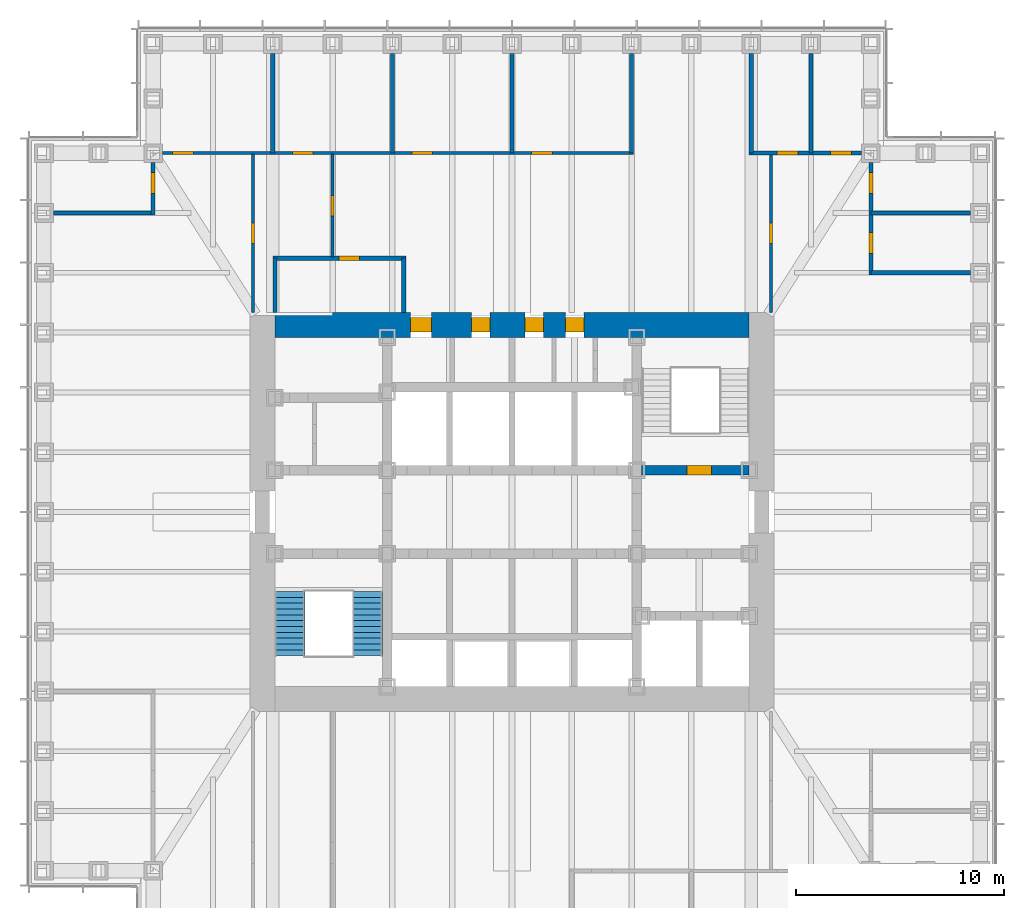
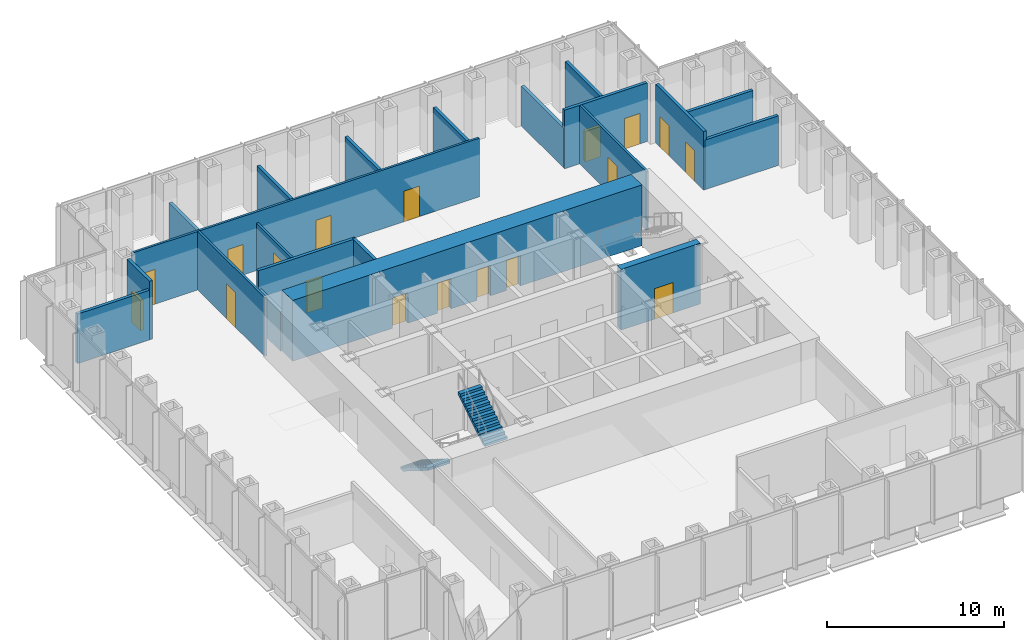
# One storey, part 10 of 17: 21 walls, 18 doors, 2 stair flights, 18 openings, 1 element without a shape of its own.
"""IFC4 building model written with IfcOpenShell, lengths in metres."""

from ifc_helpers import new_model, si_unit, direction, frame, frame_2d, origin, place, context, subcontext, project, spatial, polyline, rectangle, outline, extrude, material, layer, layer_set, type_object, element, fill, aggregate, save


model = new_model("IFC4")

# Units and contexts
model_context = context("Model", 3, precision=1e-05, world=origin(), true_north=direction((0.0, 1.0)))
body_context = subcontext(model_context, "Body", "Model", "MODEL_VIEW")
ifc_project = project(units=[si_unit("LENGTHUNIT", "METRE"), si_unit("AREAUNIT", "SQUARE_METRE"), si_unit("VOLUMEUNIT", "CUBIC_METRE"), si_unit("PLANEANGLEUNIT", "RADIAN"), si_unit("MASSUNIT", "GRAM", prefix="KILO")], contexts=[model_context])

# Site, building, storey
site_placement = place(None, origin())
site = spatial("IfcSite", under=ifc_project, at=site_placement, CompositionType="ELEMENT")
building_placement = place(site_placement, origin())
building = spatial("IfcBuilding", under=site, at=building_placement, Name="Daluyong Arena Tower", CompositionType="ELEMENT")
storey_placement = place(building_placement, frame((0.0, 0.0, 124.89990234375)))
storey = spatial("IfcBuildingStorey", under=building, at=storey_placement, Name="L27", CompositionType="ELEMENT", Elevation=124.89990234375)

# Wall, opening, door
ifc_material_1 = material(Name="Concrete fc' 45 MPa", Category="concrete")
ifc_layer_1 = layer(ifc_material_1, 0.449951171875)
ifc_layer_set_1 = layer_set([ifc_layer_1], Name="Concrete fc' 45 MPa")
wall_type_1 = type_object("IfcWallType", Name="Core inner wall 450", PredefinedType="SHEAR", material=ifc_layer_set_1)
wall_1_placement = place(storey_placement, frame((62.22509765625, 82.0, 0.0), z_axis=(0.0, 0.0, 1.0), x_axis=(1.0, 0.0, 0.0)))
wall_1 = element("IfcWall", 1, at=wall_1_placement, inside=storey, type_object=wall_type_1, Name="core inner wall at L27", PredefinedType="SHEAR", context=body_context, shape_type="SweptSolid", body=[
    extrude(rectangle(XDim=5.1748046875, YDim=0.449951171875, at=frame_2d((2.58740234375, 0.0))), origin(), (0.0, 0.0, 1.0), 4.2001953125),
])
opening_1_placement = place(wall_1_placement, frame((2.175048828125, 0.0, 0.0)))
opening_1 = element("IfcOpeningElement", 2, at=opening_1_placement, cuts=wall_1, Name="Opening 27014", PredefinedType="OPENING", context=body_context, shape_type="SweptSolid", body=[
    extrude(rectangle(XDim=1.199951171875, YDim=2.10009765625, at=frame_2d((0.60009765625, 1.050048828125))), frame((0.0, 0.23486328125, 0.0), z_axis=(0.0, -1.0, 0.0), x_axis=(1.0, 0.0, 0.0)), (0.0, 0.0, 1.0), 0.469970703125),
])
ifc_material_2 = material(Name="Steel door, fire rated", Category="steel")
door_type_1 = type_object("IfcDoorType", Name="Stair door 1200", OperationType="SINGLE_SWING_LEFT", PredefinedType="DOOR", material=ifc_material_2)
door_1_placement = place(opening_1_placement, origin())
door_1 = element("IfcDoor", 3, at=door_1_placement, inside=storey, type_object=door_type_1, Name="stair B door 27014", OperationType="SINGLE_SWING_LEFT", OverallHeight=2.10009765625, OverallWidth=1.199951171875, PredefinedType="DOOR", context=body_context, shape_type="SweptSolid", body=[
    extrude(rectangle(XDim=1.199951171875, YDim=2.10009765625, at=frame_2d((0.60009765625, 1.050048828125))), frame((0.0, 0.224609375, 0.0), z_axis=(0.0, -1.0, 0.0), x_axis=(1.0, 0.0, 0.0)), (0.0, 0.0, 1.0), 0.449462890625),
])
fill(opening_1, door_1)

# Wall, openings, doors
ifc_material_3 = material(Name="Concrete fc' 60 MPa", Category="concrete")
ifc_layer_2 = layer(ifc_material_3, 1.199951171875)
ifc_layer_set_2 = layer_set([ifc_layer_2], Name="Concrete fc' 60 MPa")
wall_type_2 = type_object("IfcWallType", Name="Core wall 1200", PredefinedType="SHEAR", material=ifc_layer_set_2)
wall_2_placement = place(storey_placement, frame((44.60009765625, 89.0, 0.0), z_axis=(0.0, 0.0, 1.0), x_axis=(1.0, 0.0, 0.0)))
wall_2 = element("IfcWall", 4, at=wall_2_placement, inside=storey, type_object=wall_type_2, Name="core wall at L27", PredefinedType="SHEAR", context=body_context, shape_type="SweptSolid", body=[
    extrude(rectangle(XDim=22.7998046875, YDim=1.199951171875, at=frame_2d((11.39990234375, 0.0))), origin(), (0.0, 0.0, 1.0), 4.2001953125),
])
opening_2_placement = place(wall_2_placement, frame((6.52490234375, 0.0, 0.0)))
opening_2 = element("IfcOpeningElement", 5, at=opening_2_placement, cuts=wall_2, Name="Opening 27004", PredefinedType="OPENING", context=body_context, shape_type="SweptSolid", body=[
    extrude(rectangle(XDim=1.0, YDim=2.10009765625, at=frame_2d((0.5, 1.050048828125))), frame((0.0, 0.60986328125, 0.0), z_axis=(0.0, -1.0, 0.0), x_axis=(1.0, 0.0, 0.0)), (0.0, 0.0, 1.0), 1.219970703125),
])
opening_3_placement = place(wall_2_placement, frame((9.449951171875, 0.0, 0.0)))
opening_3 = element("IfcOpeningElement", 6, at=opening_3_placement, cuts=wall_2, Name="Opening 27005", PredefinedType="OPENING", context=body_context, shape_type="SweptSolid", body=[
    extrude(rectangle(XDim=0.89990234375, YDim=2.10009765625, at=frame_2d((0.449951171875, 1.050048828125))), frame((0.0, 0.60986328125, 0.0), z_axis=(0.0, -1.0, 0.0), x_axis=(1.0, 0.0, 0.0)), (0.0, 0.0, 1.0), 1.219970703125),
])
opening_4_placement = place(wall_2_placement, frame((12.02490234375, 0.0, 0.0)))
opening_4 = element("IfcOpeningElement", 7, at=opening_4_placement, cuts=wall_2, Name="Opening 27006", PredefinedType="OPENING", context=body_context, shape_type="SweptSolid", body=[
    extrude(rectangle(XDim=0.89990234375, YDim=2.10009765625, at=frame_2d((0.449951171875, 1.050048828125))), frame((0.0, 0.60986328125, 0.0), z_axis=(0.0, -1.0, 0.0), x_axis=(1.0, 0.0, 0.0)), (0.0, 0.0, 1.0), 1.219970703125),
])
opening_5_placement = place(wall_2_placement, frame((13.96240234375, 0.0, 0.0)))
opening_5 = element("IfcOpeningElement", 8, at=opening_5_placement, cuts=wall_2, Name="Opening 27007", PredefinedType="OPENING", context=body_context, shape_type="SweptSolid", body=[
    extrude(rectangle(XDim=0.89990234375, YDim=2.10009765625, at=frame_2d((0.449951171875, 1.050048828125))), frame((0.0, 0.60986328125, 0.0), z_axis=(0.0, -1.0, 0.0), x_axis=(1.0, 0.0, 0.0)), (0.0, 0.0, 1.0), 1.219970703125),
])
ifc_material_4 = material(Name="Timber door", Category="wood")
door_type_2 = type_object("IfcDoorType", Name="Accessible toilet door 1000", OperationType="SINGLE_SWING_LEFT", PredefinedType="DOOR", material=ifc_material_4)
door_2_placement = place(opening_2_placement, origin())
door_2 = element("IfcDoor", 9, at=door_2_placement, inside=storey, type_object=door_type_2, Name="accessible toilet door 27004", OperationType="SINGLE_SWING_LEFT", OverallHeight=2.10009765625, OverallWidth=1.0, PredefinedType="DOOR", context=body_context, shape_type="SweptSolid", body=[
    extrude(rectangle(XDim=1.0, YDim=2.10009765625, at=frame_2d((0.5, 1.050048828125))), frame((0.0, 0.35009765625, 0.0), z_axis=(0.0, -1.0, 0.0), x_axis=(1.0, 0.0, 0.0)), (0.0, 0.0, 1.0), 0.699951171875),
])
fill(opening_2, door_2)
ifc_material_5 = material(Name="Steel door, fire rated", Category="steel")
door_type_3 = type_object("IfcDoorType", Name="Core room door 900", OperationType="SINGLE_SWING_LEFT", PredefinedType="DOOR", material=ifc_material_5)
door_3_placement = place(opening_4_placement, origin())
door_3 = element("IfcDoor", 10, at=door_3_placement, inside=storey, type_object=door_type_3, Name="staff pantry door 27006", OperationType="SINGLE_SWING_LEFT", OverallHeight=2.10009765625, OverallWidth=0.89990234375, PredefinedType="DOOR", context=body_context, shape_type="SweptSolid", body=[
    extrude(rectangle(XDim=0.89990234375, YDim=2.10009765625, at=frame_2d((0.449951171875, 1.050048828125))), frame((0.0, 0.35009765625, 0.0), z_axis=(0.0, -1.0, 0.0), x_axis=(1.0, 0.0, 0.0)), (0.0, 0.0, 1.0), 0.699951171875),
])
fill(opening_4, door_3)
door_4_placement = place(opening_5_placement, origin())
door_4 = element("IfcDoor", 11, at=door_4_placement, inside=storey, type_object=door_type_3, Name="mail room door 27007", OperationType="SINGLE_SWING_LEFT", OverallHeight=2.10009765625, OverallWidth=0.89990234375, PredefinedType="DOOR", context=body_context, shape_type="SweptSolid", body=[
    extrude(rectangle(XDim=0.89990234375, YDim=2.10009765625, at=frame_2d((0.449951171875, 1.050048828125))), frame((0.0, 0.35009765625, 0.0), z_axis=(0.0, -1.0, 0.0), x_axis=(1.0, 0.0, 0.0)), (0.0, 0.0, 1.0), 0.699951171875),
])
fill(opening_5, door_4)
ifc_material_6 = material(Name="Steel door, fire rated", Category="steel")
door_type_4 = type_object("IfcDoorType", Name="Core store door 900", OperationType="SINGLE_SWING_LEFT", PredefinedType="DOOR", material=ifc_material_6)
door_5_placement = place(opening_3_placement, origin())
door_5 = element("IfcDoor", 12, at=door_5_placement, inside=storey, type_object=door_type_4, Name="furniture store door 27005", OperationType="SINGLE_SWING_LEFT", OverallHeight=2.10009765625, OverallWidth=0.89990234375, PredefinedType="DOOR", context=body_context, shape_type="SweptSolid", body=[
    extrude(rectangle(XDim=0.89990234375, YDim=2.10009765625, at=frame_2d((0.449951171875, 1.050048828125))), frame((0.0, 0.35009765625, 0.0), z_axis=(0.0, -1.0, 0.0), x_axis=(1.0, 0.0, 0.0)), (0.0, 0.0, 1.0), 0.699951171875),
])
fill(opening_3, door_5)

ifc_material_7 = material(Name="Glazed aluminium partition", Category="aluminium")
ifc_layer_3 = layer(ifc_material_7, 0.14990234375)
ifc_layer_set_3 = layer_set([ifc_layer_3], Name="Glazed aluminium partition")
wall_type_3 = type_object("IfcWallType", Name="Glazed partition 150", PredefinedType="PARTITIONING", material=ifc_layer_set_3)
wall_3_placement = place(storey_placement, frame((39.199951171875, 97.25, 0.0), z_axis=(0.0, 0.0, 1.0), x_axis=(1.0, 0.0, 0.0)))
wall_3 = element("IfcWall", 13, at=wall_3_placement, inside=storey, type_object=wall_type_3, Name="glazed partition at L27", PredefinedType="PARTITIONING", context=body_context, shape_type="SweptSolid", body=[
    extrude(rectangle(XDim=22.650146484375, YDim=0.14990234375, at=frame_2d((11.3251953125, 0.0))), origin(), (0.0, 0.0, 1.0), 4.0400390625),
])
opening_6_placement = place(wall_3_placement, frame((0.487548828125, 0.0, 0.0)))
opening_6 = element("IfcOpeningElement", 14, at=opening_6_placement, cuts=wall_3, Name="Opening 27032", PredefinedType="OPENING", context=body_context, shape_type="SweptSolid", body=[
    extrude(rectangle(XDim=1.0, YDim=2.39990234375, at=frame_2d((0.5, 1.199951171875))), frame((0.0, 0.0849609375, 0.0), z_axis=(0.0, -1.0, 0.0), x_axis=(1.0, 0.0, 0.0)), (0.0, 0.0, 1.0), 0.169921875),
])
opening_7_placement = place(wall_3_placement, frame((6.237548828125, 0.0, 0.0)))
opening_7 = element("IfcOpeningElement", 15, at=opening_7_placement, cuts=wall_3, Name="Opening 27033", PredefinedType="OPENING", context=body_context, shape_type="SweptSolid", body=[
    extrude(rectangle(XDim=1.0, YDim=2.10009765625, at=frame_2d((0.5, 1.050048828125))), frame((0.0, 0.0849609375, 0.0), z_axis=(0.0, -1.0, 0.0), x_axis=(1.0, 0.0, 0.0)), (0.0, 0.0, 1.0), 0.169921875),
])
opening_8_placement = place(wall_3_placement, frame((11.987548828125, 0.0, 0.0)))
opening_8 = element("IfcOpeningElement", 16, at=opening_8_placement, cuts=wall_3, Name="Opening 27034", PredefinedType="OPENING", context=body_context, shape_type="SweptSolid", body=[
    extrude(rectangle(XDim=1.0, YDim=2.10009765625, at=frame_2d((0.5, 1.050048828125))), frame((0.0, 0.0849609375, 0.0), z_axis=(0.0, -1.0, 0.0), x_axis=(1.0, 0.0, 0.0)), (0.0, 0.0, 1.0), 0.169921875),
])
opening_9_placement = place(wall_3_placement, frame((17.737548828125, 0.0, 0.0)))
opening_9 = element("IfcOpeningElement", 17, at=opening_9_placement, cuts=wall_3, Name="Opening 27035", PredefinedType="OPENING", context=body_context, shape_type="SweptSolid", body=[
    extrude(rectangle(XDim=1.0, YDim=2.10009765625, at=frame_2d((0.5, 1.050048828125))), frame((0.0, 0.0849609375, 0.0), z_axis=(0.0, -1.0, 0.0), x_axis=(1.0, 0.0, 0.0)), (0.0, 0.0, 1.0), 0.169921875),
])
ifc_material_8 = material(Name="Glazed aluminium door", Category="aluminium")
door_type_5 = type_object("IfcDoorType", Name="Meeting room glazed door 1000", OperationType="SINGLE_SWING_RIGHT", PredefinedType="DOOR", material=ifc_material_8)
door_6_placement = place(opening_6_placement, origin())
door_6 = element("IfcDoor", 18, at=door_6_placement, inside=storey, type_object=door_type_5, Name="meeting room door 27032", OperationType="SINGLE_SWING_RIGHT", OverallHeight=2.39990234375, OverallWidth=1.0, PredefinedType="DOOR", context=body_context, shape_type="SweptSolid", body=[
    extrude(rectangle(XDim=1.0, YDim=2.39990234375, at=frame_2d((0.5, 1.199951171875))), frame((0.0, 0.07470703125, 0.0), z_axis=(0.0, -1.0, 0.0), x_axis=(1.0, 0.0, 0.0)), (0.0, 0.0, 1.0), 0.1494140625),
])
fill(opening_6, door_6)
ifc_material_9 = material(Name="Timber door", Category="wood")
door_type_6 = type_object("IfcDoorType", Name="Room door 1000", OperationType="SINGLE_SWING_LEFT", PredefinedType="DOOR", material=ifc_material_9)
door_7_placement = place(opening_7_placement, origin())
door_7 = element("IfcDoor", 19, at=door_7_placement, inside=storey, type_object=door_type_6, Name="executive office door 27033", OperationType="SINGLE_SWING_LEFT", OverallHeight=2.10009765625, OverallWidth=1.0, PredefinedType="DOOR", context=body_context, shape_type="SweptSolid", body=[
    extrude(rectangle(XDim=1.0, YDim=2.10009765625, at=frame_2d((0.5, 1.050048828125))), frame((0.0, 0.07470703125, 0.0), z_axis=(0.0, -1.0, 0.0), x_axis=(1.0, 0.0, 0.0)), (0.0, 0.0, 1.0), 0.1494140625),
])
fill(opening_7, door_7)
door_8_placement = place(opening_8_placement, origin())
door_8 = element("IfcDoor", 20, at=door_8_placement, inside=storey, type_object=door_type_6, Name="office door 27034", OperationType="SINGLE_SWING_LEFT", OverallHeight=2.10009765625, OverallWidth=1.0, PredefinedType="DOOR", context=body_context, shape_type="SweptSolid", body=[
    extrude(rectangle(XDim=1.0, YDim=2.10009765625, at=frame_2d((0.5, 1.050048828125))), frame((0.0, 0.07470703125, 0.0), z_axis=(0.0, -1.0, 0.0), x_axis=(1.0, 0.0, 0.0)), (0.0, 0.0, 1.0), 0.1494140625),
])
fill(opening_8, door_8)
door_9_placement = place(opening_9_placement, origin())
door_9 = element("IfcDoor", 21, at=door_9_placement, inside=storey, type_object=door_type_6, Name="office door 27035", OperationType="SINGLE_SWING_LEFT", OverallHeight=2.10009765625, OverallWidth=1.0, PredefinedType="DOOR", context=body_context, shape_type="SweptSolid", body=[
    extrude(rectangle(XDim=1.0, YDim=2.10009765625, at=frame_2d((0.5, 1.050048828125))), frame((0.0, 0.07470703125, 0.0), z_axis=(0.0, -1.0, 0.0), x_axis=(1.0, 0.0, 0.0)), (0.0, 0.0, 1.0), 0.1494140625),
])
fill(opening_9, door_9)

# Wall, opening, door
wall_4_placement = place(storey_placement, frame((43.550048828125, 89.60009765625, 0.0), z_axis=(0.0, 0.0, 1.0), x_axis=(0.0, 1.0, 0.0)))
wall_4 = element("IfcWall", 22, at=wall_4_placement, inside=storey, type_object=wall_type_3, Name="glazed partition at L27", PredefinedType="PARTITIONING", context=body_context, shape_type="SweptSolid", body=[
    extrude(rectangle(XDim=7.599853515625, YDim=0.14990234375, at=frame_2d((3.7998046875, 0.0))), origin(), (0.0, 0.0, 1.0), 4.0400390625),
])
opening_10_placement = place(wall_4_placement, frame((3.300048828125, 0.0, 0.0)))
opening_10 = element("IfcOpeningElement", 23, at=opening_10_placement, cuts=wall_4, Name="Opening 27043", PredefinedType="OPENING", context=body_context, shape_type="SweptSolid", body=[
    extrude(rectangle(XDim=1.0, YDim=2.39990234375, at=frame_2d((0.5, 1.199951171875))), frame((0.0, 0.0849609375, 0.0), z_axis=(0.0, -1.0, 0.0), x_axis=(1.0, 0.0, 0.0)), (0.0, 0.0, 1.0), 0.169921875),
])
door_10_placement = place(opening_10_placement, origin())
door_10 = element("IfcDoor", 24, at=door_10_placement, inside=storey, type_object=door_type_5, Name="team area screen door 27043", OperationType="SINGLE_SWING_RIGHT", OverallHeight=2.39990234375, OverallWidth=1.0, PredefinedType="DOOR", context=body_context, shape_type="SweptSolid", body=[
    extrude(rectangle(XDim=1.0, YDim=2.39990234375, at=frame_2d((0.5, 1.199951171875))), frame((0.0, 0.07470703125, 0.0), z_axis=(0.0, -1.0, 0.0), x_axis=(1.0, 0.0, 0.0)), (0.0, 0.0, 1.0), 0.1494140625),
])
fill(opening_10, door_10)

wall_5_placement = place(storey_placement, frame((47.375, 92.25, 0.0), z_axis=(0.0, 0.0, 1.0), x_axis=(0.0, 1.0, 0.0)))
wall_5 = element("IfcWall", 25, at=wall_5_placement, inside=storey, type_object=wall_type_3, Name="glazed partition at L27", PredefinedType="PARTITIONING", context=body_context, shape_type="SweptSolid", body=[
    extrude(rectangle(XDim=4.949951171875, YDim=0.14990234375, at=frame_2d((2.47509765625, 0.0))), origin(), (0.0, 0.0, 1.0), 3.278076171875),
])
opening_11_placement = place(wall_5_placement, frame((1.97509765625, 0.0, 0.0)))
opening_11 = element("IfcOpeningElement", 26, at=opening_11_placement, cuts=wall_5, Name="Opening 27046", PredefinedType="OPENING", context=body_context, shape_type="SweptSolid", body=[
    extrude(rectangle(XDim=1.0, YDim=2.39990234375, at=frame_2d((0.5, 1.199951171875))), frame((0.0, 0.0849609375, 0.0), z_axis=(0.0, -1.0, 0.0), x_axis=(1.0, 0.0, 0.0)), (0.0, 0.0, 1.0), 0.169921875),
])
door_11_placement = place(opening_11_placement, origin())
door_11 = element("IfcDoor", 27, at=door_11_placement, inside=storey, type_object=door_type_5, Name="team area screen door 27046", OperationType="SINGLE_SWING_RIGHT", OverallHeight=2.39990234375, OverallWidth=1.0, PredefinedType="DOOR", context=body_context, shape_type="SweptSolid", body=[
    extrude(rectangle(XDim=1.0, YDim=2.39990234375, at=frame_2d((0.5, 1.199951171875))), frame((0.0, 0.07470703125, 0.0), z_axis=(0.0, -1.0, 0.0), x_axis=(1.0, 0.0, 0.0)), (0.0, 0.0, 1.0), 0.1494140625),
])
fill(opening_11, door_11)

wall_6_placement = place(storey_placement, frame((68.449951171875, 89.60009765625, 0.0), z_axis=(0.0, 0.0, 1.0), x_axis=(0.0, 1.0, 0.0)))
wall_6 = element("IfcWall", 28, at=wall_6_placement, inside=storey, type_object=wall_type_3, Name="glazed partition at L27", PredefinedType="PARTITIONING", context=body_context, shape_type="SweptSolid", body=[
    extrude(rectangle(XDim=7.599853515625, YDim=0.14990234375, at=frame_2d((3.7998046875, 0.0))), origin(), (0.0, 0.0, 1.0), 4.0400390625),
])
opening_12_placement = place(wall_6_placement, frame((3.300048828125, 0.0, 0.0)))
opening_12 = element("IfcOpeningElement", 29, at=opening_12_placement, cuts=wall_6, Name="Opening 27044", PredefinedType="OPENING", context=body_context, shape_type="SweptSolid", body=[
    extrude(rectangle(XDim=1.0, YDim=2.39990234375, at=frame_2d((0.5, 1.199951171875))), frame((0.0, 0.0849609375, 0.0), z_axis=(0.0, -1.0, 0.0), x_axis=(1.0, 0.0, 0.0)), (0.0, 0.0, 1.0), 0.169921875),
])
door_12_placement = place(opening_12_placement, origin())
door_12 = element("IfcDoor", 30, at=door_12_placement, inside=storey, type_object=door_type_5, Name="team area screen door 27044", OperationType="SINGLE_SWING_RIGHT", OverallHeight=2.39990234375, OverallWidth=1.0, PredefinedType="DOOR", context=body_context, shape_type="SweptSolid", body=[
    extrude(rectangle(XDim=1.0, YDim=2.39990234375, at=frame_2d((0.5, 1.199951171875))), frame((0.0, 0.07470703125, 0.0), z_axis=(0.0, -1.0, 0.0), x_axis=(1.0, 0.0, 0.0)), (0.0, 0.0, 1.0), 0.1494140625),
])
fill(opening_12, door_12)

# Walls
ifc_material_10 = material(Name="Concrete block partition", Category="concrete")
ifc_layer_4 = layer(ifc_material_10, 0.199951171875)
ifc_layer_set_4 = layer_set([ifc_layer_4], Name="Concrete block partition")
wall_type_4 = type_object("IfcWallType", Name="Partition 200", PredefinedType="PARTITIONING", material=ifc_layer_set_4)
for number, where, z_axis, x_axis, name in (
    (31, (73.25, 91.5, 0.0), (0.0, 0.0, 1.0), (1.0, 0.0, 0.0), "partition at L27"),
    (32, (73.25, 94.375, 0.0), (0.0, 0.0, 1.0), (1.0, 0.0, 0.0), "partition at L27"),
):
    element("IfcWall", number, at=place(storey_placement, frame(where, z_axis=z_axis, x_axis=x_axis)), inside=storey, type_object=wall_type_4, Name=name, PredefinedType="PARTITIONING", context=body_context, shape_type="SweptSolid", body=[
        extrude(rectangle(XDim=4.800048828125, YDim=0.199951171875, at=frame_2d((2.39990234375, 0.0))), origin(), (0.0, 0.0, 1.0), 3.427978515625),
    ])
wall_7_placement = place(storey_placement, frame((44.5, 97.25, 0.0), z_axis=(0.0, 0.0, 1.0), x_axis=(0.0, 1.0, 0.0)))
element("IfcWall", 33, at=wall_7_placement, inside=storey, type_object=wall_type_4, Name="partition at L27", PredefinedType="PARTITIONING", context=body_context, shape_type="SweptSolid", body=[
    extrude(rectangle(XDim=4.800048828125, YDim=0.199951171875, at=frame_2d((2.39990234375, 0.0))), origin(), (0.0, 0.0, 1.0), 2.739990234375),
])
for number, where, z_axis, x_axis, name in (
    (34, (50.25, 97.25, 0.0), (0.0, 0.0, 1.0), (0.0, 1.0, 0.0), "partition at L27"),
    (35, (56.0, 97.25, 0.0), (0.0, 0.0, 1.0), (0.0, 1.0, 0.0), "partition at L27"),
    (36, (61.75, 97.25, 0.0), (0.0, 0.0, 1.0), (0.0, 1.0, 0.0), "partition at L27"),
):
    element("IfcWall", number, at=place(storey_placement, frame(where, z_axis=z_axis, x_axis=x_axis)), inside=storey, type_object=wall_type_4, Name=name, PredefinedType="PARTITIONING", context=body_context, shape_type="SweptSolid", body=[
        extrude(rectangle(XDim=4.800048828125, YDim=0.199951171875, at=frame_2d((2.39990234375, 0.0))), origin(), (0.0, 0.0, 1.0), 3.278076171875),
    ])
wall_8_placement = place(storey_placement, frame((67.5, 97.25, 0.0), z_axis=(0.0, 0.0, 1.0), x_axis=(0.0, 1.0, 0.0)))
element("IfcWall", 37, at=wall_8_placement, inside=storey, type_object=wall_type_4, Name="partition at L27", PredefinedType="PARTITIONING", context=body_context, shape_type="SweptSolid", body=[
    extrude(rectangle(XDim=4.800048828125, YDim=0.199951171875, at=frame_2d((2.39990234375, 0.0))), origin(), (0.0, 0.0, 1.0), 2.739990234375),
])
for number, where, z_axis, x_axis, name in (
    (38, (70.375, 97.25, 0.0), (0.0, 0.0, 1.0), (0.0, 1.0, 0.0), "partition at L27"),
    (39, (33.949951171875, 94.375, 0.0), (0.0, 0.0, 1.0), (1.0, 0.0, 0.0), "partition at L27"),
):
    element("IfcWall", number, at=place(storey_placement, frame(where, z_axis=z_axis, x_axis=x_axis)), inside=storey, type_object=wall_type_4, Name=name, PredefinedType="PARTITIONING", context=body_context, shape_type="SweptSolid", body=[
        extrude(rectangle(XDim=4.800048828125, YDim=0.199951171875, at=frame_2d((2.39990234375, 0.0))), origin(), (0.0, 0.0, 1.0), 3.427978515625),
    ])
wall_9_placement = place(storey_placement, frame((44.60009765625, 89.60009765625, 0.0), z_axis=(0.0, 0.0, 1.0), x_axis=(0.0, 1.0, 0.0)))
element("IfcWall", 40, at=wall_9_placement, inside=storey, type_object=wall_type_4, Name="partition at L27", PredefinedType="PARTITIONING", context=body_context, shape_type="SweptSolid", body=[
    extrude(rectangle(XDim=2.599853515625, YDim=0.199951171875, at=frame_2d((1.2998046875, 0.0))), origin(), (0.0, 0.0, 1.0), 2.739990234375),
])
wall_10_placement = place(storey_placement, frame((50.800048828125, 89.60009765625, 0.0), z_axis=(0.0, 0.0, 1.0), x_axis=(0.0, 1.0, 0.0)))
element("IfcWall", 41, at=wall_10_placement, inside=storey, type_object=wall_type_4, Name="partition at L27", PredefinedType="PARTITIONING", context=body_context, shape_type="SweptSolid", body=[
    extrude(rectangle(XDim=2.599853515625, YDim=0.199951171875, at=frame_2d((1.2998046875, 0.0))), origin(), (0.0, 0.0, 1.0), 4.0400390625),
])

# Wall, opening, door
wall_11_placement = place(storey_placement, frame((44.5, 92.199951171875, 0.0), z_axis=(0.0, 0.0, 1.0), x_axis=(1.0, 0.0, 0.0)))
wall_11 = element("IfcWall", 42, at=wall_11_placement, inside=storey, type_object=wall_type_4, Name="partition at L27", PredefinedType="PARTITIONING", context=body_context, shape_type="SweptSolid", body=[
    extrude(rectangle(XDim=6.39990234375, YDim=0.199951171875, at=frame_2d((3.199951171875, 0.0))), origin(), (0.0, 0.0, 1.0), 4.0400390625),
])
opening_13_placement = place(wall_11_placement, frame((3.175048828125, 0.0, 0.0)))
opening_13 = element("IfcOpeningElement", 43, at=opening_13_placement, cuts=wall_11, Name="Opening 27040", PredefinedType="OPENING", context=body_context, shape_type="SweptSolid", body=[
    extrude(rectangle(XDim=1.0, YDim=2.10009765625, at=frame_2d((0.5, 1.050048828125))), frame((0.0, 0.10986328125, 0.0), z_axis=(0.0, -1.0, 0.0), x_axis=(1.0, 0.0, 0.0)), (0.0, 0.0, 1.0), 0.219970703125),
])
door_13_placement = place(opening_13_placement, origin())
door_13 = element("IfcDoor", 44, at=door_13_placement, inside=storey, type_object=door_type_6, Name="project room door 27040", OperationType="SINGLE_SWING_LEFT", OverallHeight=2.10009765625, OverallWidth=1.0, PredefinedType="DOOR", context=body_context, shape_type="SweptSolid", body=[
    extrude(rectangle(XDim=1.0, YDim=2.10009765625, at=frame_2d((0.5, 1.050048828125))), frame((0.0, 0.099609375, 0.0), z_axis=(0.0, -1.0, 0.0), x_axis=(1.0, 0.0, 0.0)), (0.0, 0.0, 1.0), 0.199462890625),
])
fill(opening_13, door_13)

# Wall, openings, doors
wall_12_placement = place(storey_placement, frame((67.39990234375, 97.25, 0.0), z_axis=(0.0, 0.0, 1.0), x_axis=(1.0, 0.0, 0.0)))
wall_12 = element("IfcWall", 45, at=wall_12_placement, inside=storey, type_object=wall_type_4, Name="partition at L27", PredefinedType="PARTITIONING", context=body_context, shape_type="SweptSolid", body=[
    extrude(rectangle(XDim=5.400146484375, YDim=0.199951171875, at=frame_2d((2.7001953125, 0.0))), origin(), (0.0, 0.0, 1.0), 4.0400390625),
])
opening_14_placement = place(wall_12_placement, frame((1.35009765625, 0.0, 0.0)))
opening_14 = element("IfcOpeningElement", 46, at=opening_14_placement, cuts=wall_12, Name="Opening 27036", PredefinedType="OPENING", context=body_context, shape_type="SweptSolid", body=[
    extrude(rectangle(XDim=1.0, YDim=2.10009765625, at=frame_2d((0.5, 1.050048828125))), frame((0.0, 0.10986328125, 0.0), z_axis=(0.0, -1.0, 0.0), x_axis=(1.0, 0.0, 0.0)), (0.0, 0.0, 1.0), 0.219970703125),
])
opening_15_placement = place(wall_12_placement, frame((3.91259765625, 0.0, 0.0)))
opening_15 = element("IfcOpeningElement", 47, at=opening_15_placement, cuts=wall_12, Name="Opening 27037", PredefinedType="OPENING", context=body_context, shape_type="SweptSolid", body=[
    extrude(rectangle(XDim=1.0, YDim=2.10009765625, at=frame_2d((0.5, 1.050048828125))), frame((0.0, 0.10986328125, 0.0), z_axis=(0.0, -1.0, 0.0), x_axis=(1.0, 0.0, 0.0)), (0.0, 0.0, 1.0), 0.219970703125),
])
door_14_placement = place(opening_14_placement, origin())
door_14 = element("IfcDoor", 48, at=door_14_placement, inside=storey, type_object=door_type_6, Name="wellness room door 27036", OperationType="SINGLE_SWING_LEFT", OverallHeight=2.10009765625, OverallWidth=1.0, PredefinedType="DOOR", context=body_context, shape_type="SweptSolid", body=[
    extrude(rectangle(XDim=1.0, YDim=2.10009765625, at=frame_2d((0.5, 1.050048828125))), frame((0.0, 0.099609375, 0.0), z_axis=(0.0, -1.0, 0.0), x_axis=(1.0, 0.0, 0.0)), (0.0, 0.0, 1.0), 0.199462890625),
])
fill(opening_14, door_14)
door_15_placement = place(opening_15_placement, origin())
door_15 = element("IfcDoor", 49, at=door_15_placement, inside=storey, type_object=door_type_6, Name="wellness room door 27037", OperationType="SINGLE_SWING_LEFT", OverallHeight=2.10009765625, OverallWidth=1.0, PredefinedType="DOOR", context=body_context, shape_type="SweptSolid", body=[
    extrude(rectangle(XDim=1.0, YDim=2.10009765625, at=frame_2d((0.5, 1.050048828125))), frame((0.0, 0.099609375, 0.0), z_axis=(0.0, -1.0, 0.0), x_axis=(1.0, 0.0, 0.0)), (0.0, 0.0, 1.0), 0.199462890625),
])
fill(opening_15, door_15)

# Wall, opening, door
wall_13_placement = place(storey_placement, frame((38.75, 94.27490234375, 0.0), z_axis=(0.0, 0.0, 1.0), x_axis=(0.0, 1.0, 0.0)))
wall_13 = element("IfcWall", 50, at=wall_13_placement, inside=storey, type_object=wall_type_4, Name="partition at L27", PredefinedType="PARTITIONING", context=body_context, shape_type="SweptSolid", body=[
    extrude(rectangle(XDim=2.525146484375, YDim=0.199951171875, at=frame_2d((1.2626953125, 0.0))), origin(), (0.0, 0.0, 1.0), 4.0400390625),
])
opening_16_placement = place(wall_13_placement, frame((1.03759765625, 0.0, 0.0)))
opening_16 = element("IfcOpeningElement", 51, at=opening_16_placement, cuts=wall_13, Name="Opening 27039", PredefinedType="OPENING", context=body_context, shape_type="SweptSolid", body=[
    extrude(rectangle(XDim=1.0, YDim=2.10009765625, at=frame_2d((0.5, 1.050048828125))), frame((0.0, 0.10986328125, 0.0), z_axis=(0.0, -1.0, 0.0), x_axis=(1.0, 0.0, 0.0)), (0.0, 0.0, 1.0), 0.219970703125),
])
door_16_placement = place(opening_16_placement, origin())
door_16 = element("IfcDoor", 52, at=door_16_placement, inside=storey, type_object=door_type_6, Name="quiet room door 27039", OperationType="SINGLE_SWING_LEFT", OverallHeight=2.10009765625, OverallWidth=1.0, PredefinedType="DOOR", context=body_context, shape_type="SweptSolid", body=[
    extrude(rectangle(XDim=1.0, YDim=2.10009765625, at=frame_2d((0.5, 1.050048828125))), frame((0.0, 0.099609375, 0.0), z_axis=(0.0, -1.0, 0.0), x_axis=(1.0, 0.0, 0.0)), (0.0, 0.0, 1.0), 0.199462890625),
])
fill(opening_16, door_16)

# Wall, openings, doors
wall_14_placement = place(storey_placement, frame((73.25, 91.39990234375, 0.0), z_axis=(0.0, 0.0, 1.0), x_axis=(0.0, 1.0, 0.0)))
wall_14 = element("IfcWall", 53, at=wall_14_placement, inside=storey, type_object=wall_type_4, Name="partition at L27", PredefinedType="PARTITIONING", context=body_context, shape_type="SweptSolid", body=[
    extrude(rectangle(XDim=5.400146484375, YDim=0.199951171875, at=frame_2d((2.7001953125, 0.0))), origin(), (0.0, 0.0, 1.0), 4.0400390625),
])
opening_17_placement = place(wall_14_placement, frame((1.03759765625, 0.0, 0.0)))
opening_17 = element("IfcOpeningElement", 54, at=opening_17_placement, cuts=wall_14, Name="Opening 27030", PredefinedType="OPENING", context=body_context, shape_type="SweptSolid", body=[
    extrude(rectangle(XDim=1.0, YDim=2.10009765625, at=frame_2d((0.5, 1.050048828125))), frame((0.0, 0.10986328125, 0.0), z_axis=(0.0, -1.0, 0.0), x_axis=(1.0, 0.0, 0.0)), (0.0, 0.0, 1.0), 0.219970703125),
])
opening_18_placement = place(wall_14_placement, frame((3.91259765625, 0.0, 0.0)))
opening_18 = element("IfcOpeningElement", 55, at=opening_18_placement, cuts=wall_14, Name="Opening 27031", PredefinedType="OPENING", context=body_context, shape_type="SweptSolid", body=[
    extrude(rectangle(XDim=1.0, YDim=2.10009765625, at=frame_2d((0.5, 1.050048828125))), frame((0.0, 0.10986328125, 0.0), z_axis=(0.0, -1.0, 0.0), x_axis=(1.0, 0.0, 0.0)), (0.0, 0.0, 1.0), 0.219970703125),
])
door_17_placement = place(opening_17_placement, origin())
door_17 = element("IfcDoor", 56, at=door_17_placement, inside=storey, type_object=door_type_6, Name="wellness room door 27030", OperationType="SINGLE_SWING_LEFT", OverallHeight=2.10009765625, OverallWidth=1.0, PredefinedType="DOOR", context=body_context, shape_type="SweptSolid", body=[
    extrude(rectangle(XDim=1.0, YDim=2.10009765625, at=frame_2d((0.5, 1.050048828125))), frame((0.0, 0.099609375, 0.0), z_axis=(0.0, -1.0, 0.0), x_axis=(1.0, 0.0, 0.0)), (0.0, 0.0, 1.0), 0.199462890625),
])
fill(opening_17, door_17)
door_18_placement = place(opening_18_placement, origin())
door_18 = element("IfcDoor", 57, at=door_18_placement, inside=storey, type_object=door_type_6, Name="quiet room door 27031", OperationType="SINGLE_SWING_LEFT", OverallHeight=2.10009765625, OverallWidth=1.0, PredefinedType="DOOR", context=body_context, shape_type="SweptSolid", body=[
    extrude(rectangle(XDim=1.0, YDim=2.10009765625, at=frame_2d((0.5, 1.050048828125))), frame((0.0, 0.099609375, 0.0), z_axis=(0.0, -1.0, 0.0), x_axis=(1.0, 0.0, 0.0)), (0.0, 0.0, 1.0), 0.199462890625),
])
fill(opening_18, door_18)

# Stair, stair flights
ifc_material_11 = material(Name="Concrete fc' 35 MPa", Category="concrete")
stair_type = type_object("IfcStairType", Name="Core exit stair", PredefinedType="HALF_TURN_STAIR", material=ifc_material_11)
stair_placement = place(storey_placement, origin())
stair = element("IfcStair", 58, at=stair_placement, inside=storey, type_object=stair_type, Name="exit stair A L27", PredefinedType="HALF_TURN_STAIR")
ifc_material_12 = material(Name="Concrete fc' 35 MPa", Category="concrete")
stair_flight_type = type_object("IfcStairFlightType", Name="Core stair flight", PredefinedType="STRAIGHT", material=ifc_material_12)
stair_flight_1_placement = place(storey_placement, frame((45.324951171875, 76.175048828125, 0.0), z_axis=(0.0, 0.0, 1.0), x_axis=(0.0, -1.0, 0.0)))
stair_flight_1 = element("IfcStairFlight", 59, at=stair_flight_1_placement, type_object=stair_flight_type, Name="STA flight 1", NumberOfRisers=12, NumberOfTreads=11, PredefinedType="STRAIGHT", RiserHeight=0.175, TreadLength=0.28, context=body_context, shape_type="SweptSolid", body=[
    extrude(outline(polyline([(0.0, 0.0), (0.0, 0.175048828125), (0.280029296875, 0.175048828125), (0.280029296875, 0.35009765625), (0.56005859375, 0.35009765625), (0.56005859375, 0.52490234375), (0.840087890625, 0.52490234375), (0.840087890625, 0.699951171875), (1.1201171875, 0.699951171875), (1.1201171875, 0.875), (1.39990234375, 0.875), (1.39990234375, 1.050048828125), (1.679931640625, 1.050048828125), (1.679931640625, 1.22509765625), (1.9599609375, 1.22509765625), (1.9599609375, 1.39990234375), (2.239990234375, 1.39990234375), (2.239990234375, 1.574951171875), (2.52001953125, 1.574951171875), (2.52001953125, 1.75), (2.800048828125, 1.75), (2.800048828125, 1.925048828125), (3.080078125, 1.925048828125), (3.080078125, 2.10009765625), (3.080078125, 1.748291015625), (0.28271484375, 0.0), (0.0, 0.0)])), frame((0.0, 0.72509765625, 0.0), z_axis=(0.0, -1.0, 0.0), x_axis=(1.0, 0.0, 0.0)), (0.0, 0.0, 1.0), 1.449951171875),
])
stair_flight_2_placement = place(storey_placement, frame((49.050048828125, 73.094970703125, 2.10009765625), z_axis=(0.0, 0.0, 1.0), x_axis=(0.0, 1.0, 0.0)))
stair_flight_2 = element("IfcStairFlight", 60, at=stair_flight_2_placement, type_object=stair_flight_type, Name="STA flight 2", NumberOfRisers=12, NumberOfTreads=11, PredefinedType="STRAIGHT", RiserHeight=0.175, TreadLength=0.28, context=body_context, shape_type="SweptSolid", body=[
    extrude(outline(polyline([(0.0, 0.0), (0.0, 0.175048828125), (0.280029296875, 0.175048828125), (0.280029296875, 0.35009765625), (0.56005859375, 0.35009765625), (0.56005859375, 0.52490234375), (0.840087890625, 0.52490234375), (0.840087890625, 0.699951171875), (1.1201171875, 0.699951171875), (1.1201171875, 0.875), (1.39990234375, 0.875), (1.39990234375, 1.050048828125), (1.679931640625, 1.050048828125), (1.679931640625, 1.22509765625), (1.9599609375, 1.22509765625), (1.9599609375, 1.39990234375), (2.239990234375, 1.39990234375), (2.239990234375, 1.574951171875), (2.52001953125, 1.574951171875), (2.52001953125, 1.75), (2.800048828125, 1.75), (2.800048828125, 1.925048828125), (3.080078125, 1.925048828125), (3.080078125, 2.10009765625), (3.080078125, 1.748291015625), (0.28271484375, 0.0), (0.0, 0.0)])), frame((0.0, 0.72509765625, 0.0), z_axis=(0.0, -1.0, 0.0), x_axis=(1.0, 0.0, 0.0)), (0.0, 0.0, 1.0), 1.449951171875),
])
aggregate(stair, [stair_flight_1, stair_flight_2])

save(model, "model.ifc")
